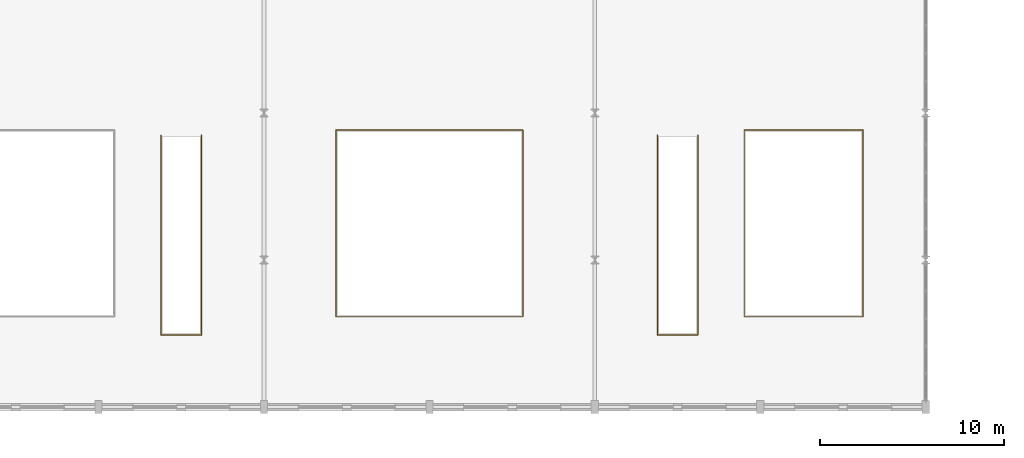
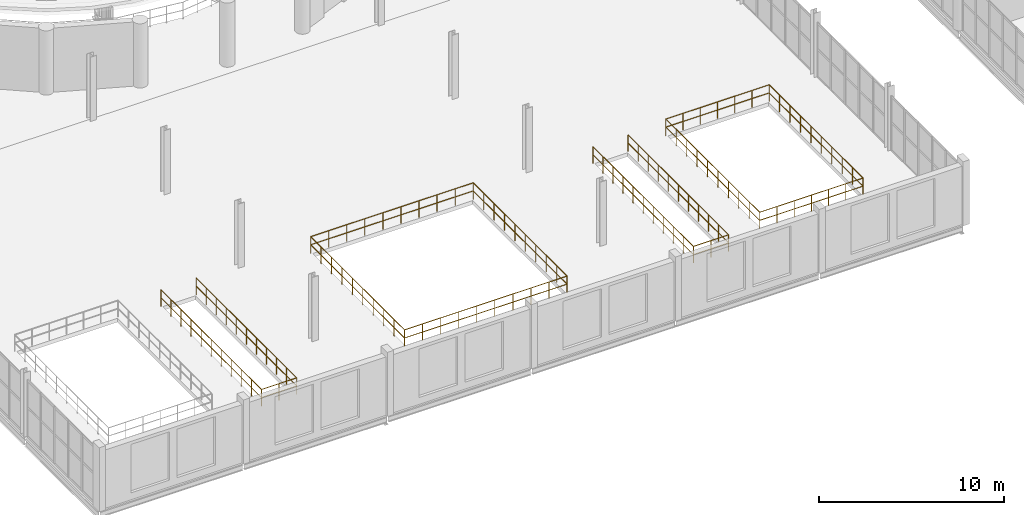
# One storey, part 77 of 85: 4 railings.
"""IFC4 building model written with IfcOpenShell, lengths in metres."""

from ifc_helpers import new_model, si_unit, direction, frame, origin, origin_2d, place, context, subcontext, project, spatial, circle, extrude, material, type_object, element, save


model = new_model("IFC4")

# Units and contexts
model_context = context("Model", 3, precision=1e-05, world=origin(), true_north=direction((0.0, 1.0)))
body_context = subcontext(model_context, "Body", "Model", "MODEL_VIEW")
ifc_project = project(units=[si_unit("LENGTHUNIT", "METRE"), si_unit("AREAUNIT", "SQUARE_METRE"), si_unit("VOLUMEUNIT", "CUBIC_METRE"), si_unit("PLANEANGLEUNIT", "RADIAN"), si_unit("MASSUNIT", "GRAM", prefix="KILO")], contexts=[model_context])

# Site, building, storey
site_placement = place(None, origin())
site = spatial("IfcSite", under=ifc_project, at=site_placement, CompositionType="ELEMENT")
building_placement = place(site_placement, origin())
building = spatial("IfcBuilding", under=site, at=building_placement, Name="Marnock Terrace Opera House", CompositionType="ELEMENT")
storey_placement = place(building_placement, frame((0.0, 0.0, 10.199951171875)))
storey = spatial("IfcBuildingStorey", under=building, at=storey_placement, Name="L02", CompositionType="ELEMENT", Elevation=10.199951171875)

# Railings
ifc_material = material(Name="Architectural bronze balustrade")
railing_type = type_object("IfcRailingType", Name="RL-ATRIUM-1120", PredefinedType="BALUSTRADE", material=ifc_material)
railing_1_placement = place(storey_placement, frame((67.39990234375, 22.800048828125, 0.0)))
element("IfcRailing", 1, at=railing_1_placement, inside=storey, type_object=railing_type, Name="L02 floor opening balustrade ESC-ST09", PredefinedType="BALUSTRADE", context=body_context, shape_type="SweptSolid", body=[
    extrude(circle(Radius=0.02392578125, at=origin_2d()), frame((0.0, 0.0, 1.09619140625), z_axis=(0.0, -1.0, 0.0), x_axis=(1.0, 0.0, 0.0)), (0.0, 0.0, 1.0), 10.880126953125),
    extrude(circle(Radius=0.02392578125, at=origin_2d()), frame((0.0, 0.0, 0.56005859375), z_axis=(0.0, -1.0, 0.0), x_axis=(1.0, 0.0, 0.0)), (0.0, 0.0, 1.0), 10.880126953125),
    extrude(circle(Radius=0.02392578125, at=origin_2d()), frame((0.0, -10.880126953125, 1.09619140625), z_axis=(1.0, 0.0, 0.0), x_axis=(0.0, 1.0, 0.0)), (0.0, 0.0, 1.0), 2.2001953125),
    extrude(circle(Radius=0.02392578125, at=origin_2d()), frame((0.0, -10.880126953125, 0.56005859375), z_axis=(1.0, 0.0, 0.0), x_axis=(0.0, 1.0, 0.0)), (0.0, 0.0, 1.0), 2.2001953125),
    extrude(circle(Radius=0.02392578125, at=origin_2d()), frame((2.2001953125, -10.880126953125, 1.09619140625), z_axis=(0.0, 1.0, 0.0), x_axis=(-1.0, 0.0, 0.0)), (0.0, 0.0, 1.0), 10.880126953125),
    extrude(circle(Radius=0.02392578125, at=origin_2d()), frame((2.2001953125, -10.880126953125, 0.56005859375), z_axis=(0.0, 1.0, 0.0), x_axis=(-1.0, 0.0, 0.0)), (0.0, 0.0, 1.0), 10.880126953125),
    extrude(circle(Radius=0.02099609375, at=origin_2d()), origin(), (0.0, 0.0, 1.0), 1.072021484375),
    extrude(circle(Radius=0.02099609375, at=origin_2d()), frame((0.0, -1.087890625, 0.0)), (0.0, 0.0, 1.0), 1.072021484375),
    extrude(circle(Radius=0.02099609375, at=origin_2d()), frame((0.0, -2.176025390625, 0.0)), (0.0, 0.0, 1.0), 1.072021484375),
    extrude(circle(Radius=0.02099609375, at=origin_2d()), frame((0.0, -3.26416015625, 0.0)), (0.0, 0.0, 1.0), 1.072021484375),
    extrude(circle(Radius=0.02099609375, at=origin_2d()), frame((0.0, -4.35205078125, 0.0)), (0.0, 0.0, 1.0), 1.072021484375),
    extrude(circle(Radius=0.02099609375, at=origin_2d()), frame((0.0, -5.43994140625, 0.0)), (0.0, 0.0, 1.0), 1.072021484375),
    extrude(circle(Radius=0.02099609375, at=origin_2d()), frame((0.0, -6.528076171875, 0.0)), (0.0, 0.0, 1.0), 1.072021484375),
    extrude(circle(Radius=0.02099609375, at=origin_2d()), frame((0.0, -7.615966796875, 0.0)), (0.0, 0.0, 1.0), 1.072021484375),
    extrude(circle(Radius=0.02099609375, at=origin_2d()), frame((0.0, -8.7041015625, 0.0)), (0.0, 0.0, 1.0), 1.072021484375),
    extrude(circle(Radius=0.02099609375, at=origin_2d()), frame((0.0, -9.7919921875, 0.0)), (0.0, 0.0, 1.0), 1.072021484375),
    extrude(circle(Radius=0.02099609375, at=origin_2d()), frame((0.0, -10.880126953125, 0.0)), (0.0, 0.0, 1.0), 1.072021484375),
    extrude(circle(Radius=0.02099609375, at=origin_2d()), frame((1.10009765625, -10.880126953125, 0.0)), (0.0, 0.0, 1.0), 1.072021484375),
    extrude(circle(Radius=0.02099609375, at=origin_2d()), frame((2.2001953125, -10.880126953125, 0.0)), (0.0, 0.0, 1.0), 1.072021484375),
    extrude(circle(Radius=0.02099609375, at=origin_2d()), frame((2.2001953125, -9.7919921875, 0.0)), (0.0, 0.0, 1.0), 1.072021484375),
    extrude(circle(Radius=0.02099609375, at=origin_2d()), frame((2.2001953125, -8.7041015625, 0.0)), (0.0, 0.0, 1.0), 1.072021484375),
    extrude(circle(Radius=0.02099609375, at=origin_2d()), frame((2.2001953125, -7.6162109375, 0.0)), (0.0, 0.0, 1.0), 1.072021484375),
    extrude(circle(Radius=0.02099609375, at=origin_2d()), frame((2.2001953125, -6.528076171875, 0.0)), (0.0, 0.0, 1.0), 1.072021484375),
    extrude(circle(Radius=0.02099609375, at=origin_2d()), frame((2.2001953125, -5.43994140625, 0.0)), (0.0, 0.0, 1.0), 1.072021484375),
    extrude(circle(Radius=0.02099609375, at=origin_2d()), frame((2.2001953125, -4.35205078125, 0.0)), (0.0, 0.0, 1.0), 1.072021484375),
    extrude(circle(Radius=0.02099609375, at=origin_2d()), frame((2.2001953125, -3.26416015625, 0.0)), (0.0, 0.0, 1.0), 1.072021484375),
    extrude(circle(Radius=0.02099609375, at=origin_2d()), frame((2.2001953125, -2.176025390625, 0.0)), (0.0, 0.0, 1.0), 1.072021484375),
    extrude(circle(Radius=0.02099609375, at=origin_2d()), frame((2.2001953125, -1.087890625, 0.0)), (0.0, 0.0, 1.0), 1.072021484375),
    extrude(circle(Radius=0.02099609375, at=origin_2d()), frame((2.2001953125, 0.0, 0.0)), (0.0, 0.0, 1.0), 1.072021484375),
])
railing_2_placement = place(storey_placement, frame((94.39990234375, 22.800048828125, 0.0)))
element("IfcRailing", 2, at=railing_2_placement, inside=storey, type_object=railing_type, Name="L02 floor opening balustrade ESC-ST10", PredefinedType="BALUSTRADE", context=body_context, shape_type="SweptSolid", body=[
    extrude(circle(Radius=0.02392578125, at=origin_2d()), frame((0.0, 0.0, 1.09619140625), z_axis=(0.0, -1.0, 0.0), x_axis=(1.0, 0.0, 0.0)), (0.0, 0.0, 1.0), 10.880126953125),
    extrude(circle(Radius=0.02392578125, at=origin_2d()), frame((0.0, 0.0, 0.56005859375), z_axis=(0.0, -1.0, 0.0), x_axis=(1.0, 0.0, 0.0)), (0.0, 0.0, 1.0), 10.880126953125),
    extrude(circle(Radius=0.02392578125, at=origin_2d()), frame((0.0, -10.880126953125, 1.09619140625), z_axis=(1.0, 0.0, 0.0), x_axis=(0.0, 1.0, 0.0)), (0.0, 0.0, 1.0), 2.2001953125),
    extrude(circle(Radius=0.02392578125, at=origin_2d()), frame((0.0, -10.880126953125, 0.56005859375), z_axis=(1.0, 0.0, 0.0), x_axis=(0.0, 1.0, 0.0)), (0.0, 0.0, 1.0), 2.2001953125),
    extrude(circle(Radius=0.02392578125, at=origin_2d()), frame((2.2001953125, -10.880126953125, 1.09619140625), z_axis=(0.0, 1.0, 0.0), x_axis=(-1.0, 0.0, 0.0)), (0.0, 0.0, 1.0), 10.880126953125),
    extrude(circle(Radius=0.02392578125, at=origin_2d()), frame((2.2001953125, -10.880126953125, 0.56005859375), z_axis=(0.0, 1.0, 0.0), x_axis=(-1.0, 0.0, 0.0)), (0.0, 0.0, 1.0), 10.880126953125),
    extrude(circle(Radius=0.02099609375, at=origin_2d()), origin(), (0.0, 0.0, 1.0), 1.072021484375),
    extrude(circle(Radius=0.02099609375, at=origin_2d()), frame((0.0, -1.087890625, 0.0)), (0.0, 0.0, 1.0), 1.072021484375),
    extrude(circle(Radius=0.02099609375, at=origin_2d()), frame((0.0, -2.176025390625, 0.0)), (0.0, 0.0, 1.0), 1.072021484375),
    extrude(circle(Radius=0.02099609375, at=origin_2d()), frame((0.0, -3.26416015625, 0.0)), (0.0, 0.0, 1.0), 1.072021484375),
    extrude(circle(Radius=0.02099609375, at=origin_2d()), frame((0.0, -4.35205078125, 0.0)), (0.0, 0.0, 1.0), 1.072021484375),
    extrude(circle(Radius=0.02099609375, at=origin_2d()), frame((0.0, -5.43994140625, 0.0)), (0.0, 0.0, 1.0), 1.072021484375),
    extrude(circle(Radius=0.02099609375, at=origin_2d()), frame((0.0, -6.528076171875, 0.0)), (0.0, 0.0, 1.0), 1.072021484375),
    extrude(circle(Radius=0.02099609375, at=origin_2d()), frame((0.0, -7.615966796875, 0.0)), (0.0, 0.0, 1.0), 1.072021484375),
    extrude(circle(Radius=0.02099609375, at=origin_2d()), frame((0.0, -8.7041015625, 0.0)), (0.0, 0.0, 1.0), 1.072021484375),
    extrude(circle(Radius=0.02099609375, at=origin_2d()), frame((0.0, -9.7919921875, 0.0)), (0.0, 0.0, 1.0), 1.072021484375),
    extrude(circle(Radius=0.02099609375, at=origin_2d()), frame((0.0, -10.880126953125, 0.0)), (0.0, 0.0, 1.0), 1.072021484375),
    extrude(circle(Radius=0.02099609375, at=origin_2d()), frame((1.10009765625, -10.880126953125, 0.0)), (0.0, 0.0, 1.0), 1.072021484375),
    extrude(circle(Radius=0.02099609375, at=origin_2d()), frame((2.2001953125, -10.880126953125, 0.0)), (0.0, 0.0, 1.0), 1.072021484375),
    extrude(circle(Radius=0.02099609375, at=origin_2d()), frame((2.2001953125, -9.7919921875, 0.0)), (0.0, 0.0, 1.0), 1.072021484375),
    extrude(circle(Radius=0.02099609375, at=origin_2d()), frame((2.2001953125, -8.7041015625, 0.0)), (0.0, 0.0, 1.0), 1.072021484375),
    extrude(circle(Radius=0.02099609375, at=origin_2d()), frame((2.2001953125, -7.6162109375, 0.0)), (0.0, 0.0, 1.0), 1.072021484375),
    extrude(circle(Radius=0.02099609375, at=origin_2d()), frame((2.2001953125, -6.528076171875, 0.0)), (0.0, 0.0, 1.0), 1.072021484375),
    extrude(circle(Radius=0.02099609375, at=origin_2d()), frame((2.2001953125, -5.43994140625, 0.0)), (0.0, 0.0, 1.0), 1.072021484375),
    extrude(circle(Radius=0.02099609375, at=origin_2d()), frame((2.2001953125, -4.35205078125, 0.0)), (0.0, 0.0, 1.0), 1.072021484375),
    extrude(circle(Radius=0.02099609375, at=origin_2d()), frame((2.2001953125, -3.26416015625, 0.0)), (0.0, 0.0, 1.0), 1.072021484375),
    extrude(circle(Radius=0.02099609375, at=origin_2d()), frame((2.2001953125, -2.176025390625, 0.0)), (0.0, 0.0, 1.0), 1.072021484375),
    extrude(circle(Radius=0.02099609375, at=origin_2d()), frame((2.2001953125, -1.087890625, 0.0)), (0.0, 0.0, 1.0), 1.072021484375),
    extrude(circle(Radius=0.02099609375, at=origin_2d()), frame((2.2001953125, 0.0, 0.0)), (0.0, 0.0, 1.0), 1.072021484375),
])
railing_3_placement = place(storey_placement, frame((76.919921875, 12.919921875, 0.0)))
element("IfcRailing", 3, at=railing_3_placement, inside=storey, type_object=railing_type, Name="L02 floor opening balustrade ATR-2", PredefinedType="BALUSTRADE", context=body_context, shape_type="SweptSolid", body=[
    extrude(circle(Radius=0.02392578125, at=origin_2d()), frame((0.0, 0.0, 1.09619140625), z_axis=(1.0, 0.0, 0.0), x_axis=(0.0, 1.0, 0.0)), (0.0, 0.0, 1.0), 10.16015625),
    extrude(circle(Radius=0.02392578125, at=origin_2d()), frame((0.0, 0.0, 0.56005859375), z_axis=(1.0, 0.0, 0.0), x_axis=(0.0, 1.0, 0.0)), (0.0, 0.0, 1.0), 10.16015625),
    extrude(circle(Radius=0.02392578125, at=origin_2d()), frame((10.16015625, 0.0, 1.09619140625), z_axis=(0.0, 1.0, 0.0), x_axis=(-1.0, 0.0, 0.0)), (0.0, 0.0, 1.0), 10.16015625),
    extrude(circle(Radius=0.02392578125, at=origin_2d()), frame((10.16015625, 0.0, 0.56005859375), z_axis=(0.0, 1.0, 0.0), x_axis=(-1.0, 0.0, 0.0)), (0.0, 0.0, 1.0), 10.16015625),
    extrude(circle(Radius=0.02392578125, at=origin_2d()), frame((10.16015625, 10.16015625, 1.09619140625), z_axis=(-1.0, 0.0, 0.0), x_axis=(0.0, -1.0, 0.0)), (0.0, 0.0, 1.0), 10.16015625),
    extrude(circle(Radius=0.02392578125, at=origin_2d()), frame((10.16015625, 10.16015625, 0.56005859375), z_axis=(-1.0, 0.0, 0.0), x_axis=(0.0, -1.0, 0.0)), (0.0, 0.0, 1.0), 10.16015625),
    extrude(circle(Radius=0.02392578125, at=origin_2d()), frame((0.0, 10.16015625, 1.09619140625), z_axis=(0.0, -1.0, 0.0), x_axis=(1.0, 0.0, 0.0)), (0.0, 0.0, 1.0), 10.16015625),
    extrude(circle(Radius=0.02392578125, at=origin_2d()), frame((0.0, 10.16015625, 0.56005859375), z_axis=(0.0, -1.0, 0.0), x_axis=(1.0, 0.0, 0.0)), (0.0, 0.0, 1.0), 10.16015625),
    extrude(circle(Radius=0.02099609375, at=origin_2d()), origin(), (0.0, 0.0, 1.0), 1.072021484375),
    extrude(circle(Radius=0.02099609375, at=origin_2d()), frame((1.12890625, 0.0, 0.0)), (0.0, 0.0, 1.0), 1.072021484375),
    extrude(circle(Radius=0.02099609375, at=origin_2d()), frame((2.2578125, 0.0, 0.0)), (0.0, 0.0, 1.0), 1.072021484375),
    extrude(circle(Radius=0.02099609375, at=origin_2d()), frame((3.38671875, 0.0, 0.0)), (0.0, 0.0, 1.0), 1.072021484375),
    extrude(circle(Radius=0.02099609375, at=origin_2d()), frame((4.515625, 0.0, 0.0)), (0.0, 0.0, 1.0), 1.072021484375),
    extrude(circle(Radius=0.02099609375, at=origin_2d()), frame((5.64453125, 0.0, 0.0)), (0.0, 0.0, 1.0), 1.072021484375),
    extrude(circle(Radius=0.02099609375, at=origin_2d()), frame((6.7734375, 0.0, 0.0)), (0.0, 0.0, 1.0), 1.072021484375),
    extrude(circle(Radius=0.02099609375, at=origin_2d()), frame((7.90234375, 0.0, 0.0)), (0.0, 0.0, 1.0), 1.072021484375),
    extrude(circle(Radius=0.02099609375, at=origin_2d()), frame((9.03125, 0.0, 0.0)), (0.0, 0.0, 1.0), 1.072021484375),
    extrude(circle(Radius=0.02099609375, at=origin_2d()), frame((10.16015625, 0.0, 0.0)), (0.0, 0.0, 1.0), 1.072021484375),
    extrude(circle(Radius=0.02099609375, at=origin_2d()), frame((10.16015625, 1.12890625, 0.0)), (0.0, 0.0, 1.0), 1.072021484375),
    extrude(circle(Radius=0.02099609375, at=origin_2d()), frame((10.16015625, 2.2578125, 0.0)), (0.0, 0.0, 1.0), 1.072021484375),
    extrude(circle(Radius=0.02099609375, at=origin_2d()), frame((10.16015625, 3.38671875, 0.0)), (0.0, 0.0, 1.0), 1.072021484375),
    extrude(circle(Radius=0.02099609375, at=origin_2d()), frame((10.16015625, 4.515625, 0.0)), (0.0, 0.0, 1.0), 1.072021484375),
    extrude(circle(Radius=0.02099609375, at=origin_2d()), frame((10.16015625, 5.64453125, 0.0)), (0.0, 0.0, 1.0), 1.072021484375),
    extrude(circle(Radius=0.02099609375, at=origin_2d()), frame((10.16015625, 6.7734375, 0.0)), (0.0, 0.0, 1.0), 1.072021484375),
    extrude(circle(Radius=0.02099609375, at=origin_2d()), frame((10.16015625, 7.90234375, 0.0)), (0.0, 0.0, 1.0), 1.072021484375),
    extrude(circle(Radius=0.02099609375, at=origin_2d()), frame((10.16015625, 9.03125, 0.0)), (0.0, 0.0, 1.0), 1.072021484375),
    extrude(circle(Radius=0.02099609375, at=origin_2d()), frame((10.16015625, 10.16015625, 0.0)), (0.0, 0.0, 1.0), 1.072021484375),
    extrude(circle(Radius=0.02099609375, at=origin_2d()), frame((9.03125, 10.16015625, 0.0)), (0.0, 0.0, 1.0), 1.072021484375),
    extrude(circle(Radius=0.02099609375, at=origin_2d()), frame((7.90234375, 10.16015625, 0.0)), (0.0, 0.0, 1.0), 1.072021484375),
    extrude(circle(Radius=0.02099609375, at=origin_2d()), frame((6.7734375, 10.16015625, 0.0)), (0.0, 0.0, 1.0), 1.072021484375),
    extrude(circle(Radius=0.02099609375, at=origin_2d()), frame((5.64453125, 10.16015625, 0.0)), (0.0, 0.0, 1.0), 1.072021484375),
    extrude(circle(Radius=0.02099609375, at=origin_2d()), frame((4.515625, 10.16015625, 0.0)), (0.0, 0.0, 1.0), 1.072021484375),
    extrude(circle(Radius=0.02099609375, at=origin_2d()), frame((3.38671875, 10.16015625, 0.0)), (0.0, 0.0, 1.0), 1.072021484375),
    extrude(circle(Radius=0.02099609375, at=origin_2d()), frame((2.2578125, 10.16015625, 0.0)), (0.0, 0.0, 1.0), 1.072021484375),
    extrude(circle(Radius=0.02099609375, at=origin_2d()), frame((1.12890625, 10.16015625, 0.0)), (0.0, 0.0, 1.0), 1.072021484375),
    extrude(circle(Radius=0.02099609375, at=origin_2d()), frame((0.0, 10.16015625, 0.0)), (0.0, 0.0, 1.0), 1.072021484375),
    extrude(circle(Radius=0.02099609375, at=origin_2d()), frame((0.0, 9.03125, 0.0)), (0.0, 0.0, 1.0), 1.072021484375),
    extrude(circle(Radius=0.02099609375, at=origin_2d()), frame((0.0, 7.90234375, 0.0)), (0.0, 0.0, 1.0), 1.072021484375),
    extrude(circle(Radius=0.02099609375, at=origin_2d()), frame((0.0, 6.7734375, 0.0)), (0.0, 0.0, 1.0), 1.072021484375),
    extrude(circle(Radius=0.02099609375, at=origin_2d()), frame((0.0, 5.64453125, 0.0)), (0.0, 0.0, 1.0), 1.072021484375),
    extrude(circle(Radius=0.02099609375, at=origin_2d()), frame((0.0, 4.515625, 0.0)), (0.0, 0.0, 1.0), 1.072021484375),
    extrude(circle(Radius=0.02099609375, at=origin_2d()), frame((0.0, 3.38671875, 0.0)), (0.0, 0.0, 1.0), 1.072021484375),
    extrude(circle(Radius=0.02099609375, at=origin_2d()), frame((0.0, 2.2578125, 0.0)), (0.0, 0.0, 1.0), 1.072021484375),
    extrude(circle(Radius=0.02099609375, at=origin_2d()), frame((0.0, 1.12890625, 0.0)), (0.0, 0.0, 1.0), 1.072021484375),
])
railing_4_placement = place(storey_placement, frame((99.1201171875, 12.919921875, 0.0)))
element("IfcRailing", 4, at=railing_4_placement, inside=storey, type_object=railing_type, Name="L02 floor opening balustrade ATR-3", PredefinedType="BALUSTRADE", context=body_context, shape_type="SweptSolid", body=[
    extrude(circle(Radius=0.02392578125, at=origin_2d()), frame((0.0, 0.0, 1.09619140625), z_axis=(1.0, 0.0, 0.0), x_axis=(0.0, 1.0, 0.0)), (0.0, 0.0, 1.0), 6.4599609375),
    extrude(circle(Radius=0.02392578125, at=origin_2d()), frame((0.0, 0.0, 0.56005859375), z_axis=(1.0, 0.0, 0.0), x_axis=(0.0, 1.0, 0.0)), (0.0, 0.0, 1.0), 6.4599609375),
    extrude(circle(Radius=0.02392578125, at=origin_2d()), frame((6.4599609375, 0.0, 1.09619140625), z_axis=(0.0, 1.0, 0.0), x_axis=(-1.0, 0.0, 0.0)), (0.0, 0.0, 1.0), 10.16015625),
    extrude(circle(Radius=0.02392578125, at=origin_2d()), frame((6.4599609375, 0.0, 0.56005859375), z_axis=(0.0, 1.0, 0.0), x_axis=(-1.0, 0.0, 0.0)), (0.0, 0.0, 1.0), 10.16015625),
    extrude(circle(Radius=0.02392578125, at=origin_2d()), frame((6.4599609375, 10.16015625, 1.09619140625), z_axis=(-1.0, 0.0, 0.0), x_axis=(0.0, -1.0, 0.0)), (0.0, 0.0, 1.0), 6.4599609375),
    extrude(circle(Radius=0.02392578125, at=origin_2d()), frame((6.4599609375, 10.16015625, 0.56005859375), z_axis=(-1.0, 0.0, 0.0), x_axis=(0.0, -1.0, 0.0)), (0.0, 0.0, 1.0), 6.4599609375),
    extrude(circle(Radius=0.02392578125, at=origin_2d()), frame((0.0, 10.16015625, 1.09619140625), z_axis=(0.0, -1.0, 0.0), x_axis=(1.0, 0.0, 0.0)), (0.0, 0.0, 1.0), 10.16015625),
    extrude(circle(Radius=0.02392578125, at=origin_2d()), frame((0.0, 10.16015625, 0.56005859375), z_axis=(0.0, -1.0, 0.0), x_axis=(1.0, 0.0, 0.0)), (0.0, 0.0, 1.0), 10.16015625),
    extrude(circle(Radius=0.02099609375, at=origin_2d()), origin(), (0.0, 0.0, 1.0), 1.072021484375),
    extrude(circle(Radius=0.02099609375, at=origin_2d()), frame((1.07666015625, 0.0, 0.0)), (0.0, 0.0, 1.0), 1.072021484375),
    extrude(circle(Radius=0.02099609375, at=origin_2d()), frame((2.1533203125, 0.0, 0.0)), (0.0, 0.0, 1.0), 1.072021484375),
    extrude(circle(Radius=0.02099609375, at=origin_2d()), frame((3.22998046875, 0.0, 0.0)), (0.0, 0.0, 1.0), 1.072021484375),
    extrude(circle(Radius=0.02099609375, at=origin_2d()), frame((4.306640625, 0.0, 0.0)), (0.0, 0.0, 1.0), 1.072021484375),
    extrude(circle(Radius=0.02099609375, at=origin_2d()), frame((5.38330078125, 0.0, 0.0)), (0.0, 0.0, 1.0), 1.072021484375),
    extrude(circle(Radius=0.02099609375, at=origin_2d()), frame((6.4599609375, 0.0, 0.0)), (0.0, 0.0, 1.0), 1.072021484375),
    extrude(circle(Radius=0.02099609375, at=origin_2d()), frame((6.4599609375, 1.12890625, 0.0)), (0.0, 0.0, 1.0), 1.072021484375),
    extrude(circle(Radius=0.02099609375, at=origin_2d()), frame((6.4599609375, 2.2578125, 0.0)), (0.0, 0.0, 1.0), 1.072021484375),
    extrude(circle(Radius=0.02099609375, at=origin_2d()), frame((6.4599609375, 3.38671875, 0.0)), (0.0, 0.0, 1.0), 1.072021484375),
    extrude(circle(Radius=0.02099609375, at=origin_2d()), frame((6.4599609375, 4.515625, 0.0)), (0.0, 0.0, 1.0), 1.072021484375),
    extrude(circle(Radius=0.02099609375, at=origin_2d()), frame((6.4599609375, 5.64453125, 0.0)), (0.0, 0.0, 1.0), 1.072021484375),
    extrude(circle(Radius=0.02099609375, at=origin_2d()), frame((6.4599609375, 6.7734375, 0.0)), (0.0, 0.0, 1.0), 1.072021484375),
    extrude(circle(Radius=0.02099609375, at=origin_2d()), frame((6.4599609375, 7.90234375, 0.0)), (0.0, 0.0, 1.0), 1.072021484375),
    extrude(circle(Radius=0.02099609375, at=origin_2d()), frame((6.4599609375, 9.03125, 0.0)), (0.0, 0.0, 1.0), 1.072021484375),
    extrude(circle(Radius=0.02099609375, at=origin_2d()), frame((6.4599609375, 10.16015625, 0.0)), (0.0, 0.0, 1.0), 1.072021484375),
    extrude(circle(Radius=0.02099609375, at=origin_2d()), frame((5.38330078125, 10.16015625, 0.0)), (0.0, 0.0, 1.0), 1.072021484375),
    extrude(circle(Radius=0.02099609375, at=origin_2d()), frame((4.306640625, 10.16015625, 0.0)), (0.0, 0.0, 1.0), 1.072021484375),
    extrude(circle(Radius=0.02099609375, at=origin_2d()), frame((3.22998046875, 10.16015625, 0.0)), (0.0, 0.0, 1.0), 1.072021484375),
    extrude(circle(Radius=0.02099609375, at=origin_2d()), frame((2.1533203125, 10.16015625, 0.0)), (0.0, 0.0, 1.0), 1.072021484375),
    extrude(circle(Radius=0.02099609375, at=origin_2d()), frame((1.07666015625, 10.16015625, 0.0)), (0.0, 0.0, 1.0), 1.072021484375),
    extrude(circle(Radius=0.02099609375, at=origin_2d()), frame((0.0, 10.16015625, 0.0)), (0.0, 0.0, 1.0), 1.072021484375),
    extrude(circle(Radius=0.02099609375, at=origin_2d()), frame((0.0, 9.03125, 0.0)), (0.0, 0.0, 1.0), 1.072021484375),
    extrude(circle(Radius=0.02099609375, at=origin_2d()), frame((0.0, 7.90234375, 0.0)), (0.0, 0.0, 1.0), 1.072021484375),
    extrude(circle(Radius=0.02099609375, at=origin_2d()), frame((0.0, 6.7734375, 0.0)), (0.0, 0.0, 1.0), 1.072021484375),
    extrude(circle(Radius=0.02099609375, at=origin_2d()), frame((0.0, 5.64453125, 0.0)), (0.0, 0.0, 1.0), 1.072021484375),
    extrude(circle(Radius=0.02099609375, at=origin_2d()), frame((0.0, 4.515625, 0.0)), (0.0, 0.0, 1.0), 1.072021484375),
    extrude(circle(Radius=0.02099609375, at=origin_2d()), frame((0.0, 3.38671875, 0.0)), (0.0, 0.0, 1.0), 1.072021484375),
    extrude(circle(Radius=0.02099609375, at=origin_2d()), frame((0.0, 2.2578125, 0.0)), (0.0, 0.0, 1.0), 1.072021484375),
    extrude(circle(Radius=0.02099609375, at=origin_2d()), frame((0.0, 1.12890625, 0.0)), (0.0, 0.0, 1.0), 1.072021484375),
])

save(model, "model.ifc")
